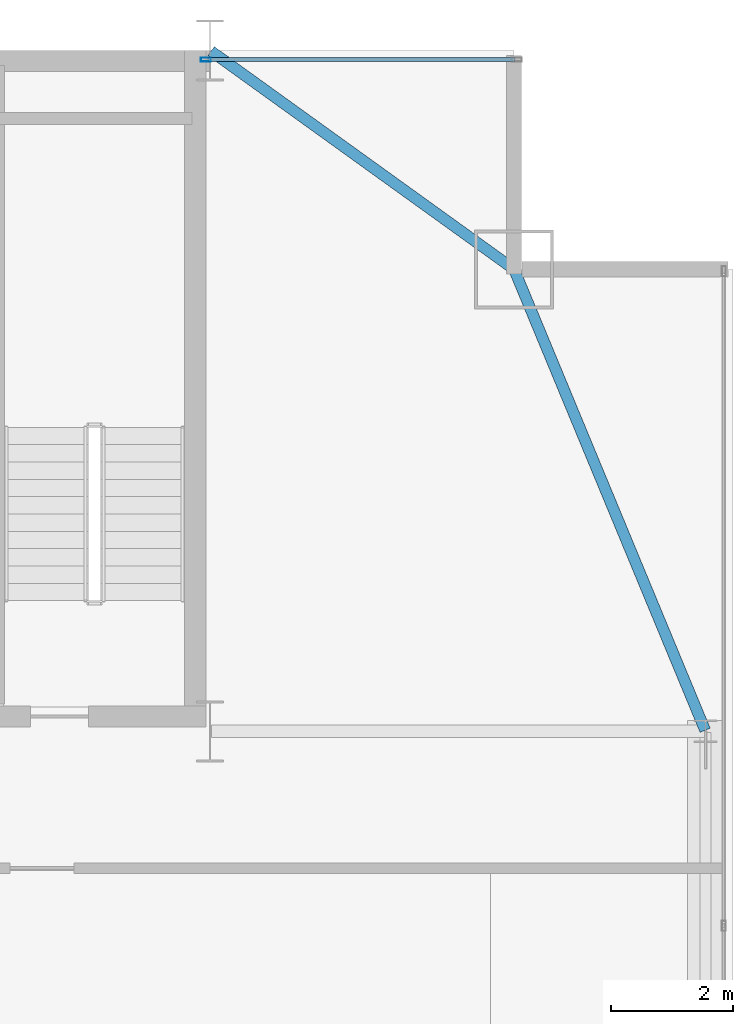
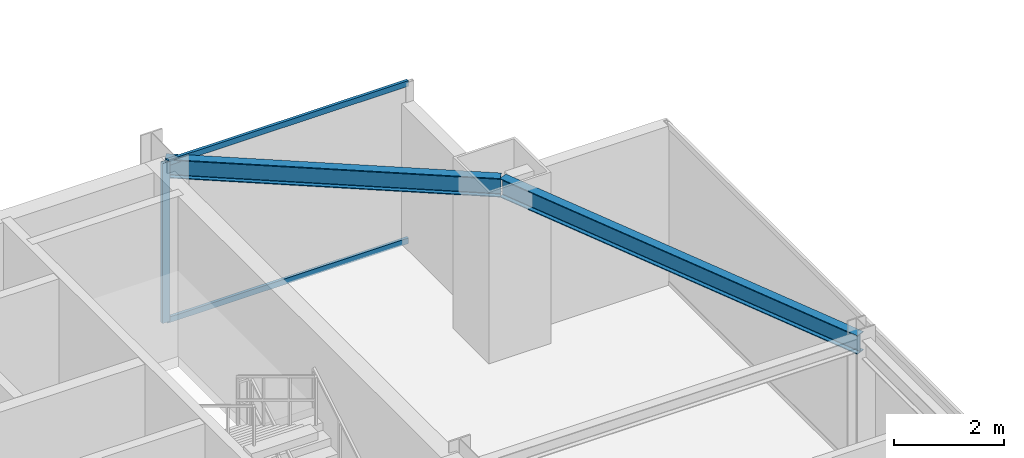
# One storey, part 24 of 34: 3 members, 2 beams, 1 element without a shape of its own.
"""IFC4 building model written with IfcOpenShell, lengths in metres."""

from ifc_helpers import new_model, si_unit, direction, frame, origin, origin_2d, place, context, subcontext, project, spatial, hollow_rectangle, i_section, extrude, source, transform, mapped, material, layer, layer_set, material_profile, profile_set, type_object, type_shapes, element, aggregate, save


model = new_model("IFC4")

# Units and contexts
model_context = context("Model", 3, precision=1e-05, world=origin(), true_north=direction((0.0, 1.0)))
body_context = subcontext(model_context, "Body", "Model", "MODEL_VIEW")
ifc_project = project(units=[si_unit("LENGTHUNIT", "METRE"), si_unit("AREAUNIT", "SQUARE_METRE"), si_unit("VOLUMEUNIT", "CUBIC_METRE"), si_unit("PLANEANGLEUNIT", "RADIAN"), si_unit("MASSUNIT", "GRAM", prefix="KILO")], contexts=[model_context])

# Site, building, storey
site_placement = place(None, origin())
site = spatial("IfcSite", under=ifc_project, at=site_placement, CompositionType="ELEMENT")
building_placement = place(site_placement, origin())
building = spatial("IfcBuilding", under=site, at=building_placement, Name="Varnel Quay Broadcast Tower", CompositionType="ELEMENT")
storey_placement = place(building_placement, frame((0.0, 0.0, 161.0)))
storey = spatial("IfcBuildingStorey", under=building, at=storey_placement, Name="L39", CompositionType="ELEMENT", Elevation=161.0)

# Beams
ifc_material_1 = material(Name="Structural Steel CSA G40.21 350W", Category="steel")
ifc_material_profile_1 = material_profile(ifc_material_1, i_section(OverallWidth=0.180908203125, OverallDepth=0.4169921875, WebThickness=0.010986328125, FlangeThickness=0.018310546875, FilletRadius=0.011962890625, at=origin_2d()), Name="W410X85")
ifc_profile_set_1 = profile_set([ifc_material_profile_1], Name="Structural Steel CSA G40.21 350W")
beam_type = type_object("IfcBeamType", Name="Beam_W410X85", PredefinedType="SPANDREL", material=ifc_profile_set_1)
shared_shape_1 = source(origin(), body_context, "Body", "SweptSolid", [
    extrude(i_section(OverallWidth=0.180908203125, OverallDepth=0.4169921875, WebThickness=0.010986328125, FlangeThickness=0.018310546875, FilletRadius=0.011962890625, at=origin_2d()), origin(), (0.0, 0.0, 1.0), 8.186767578125),
])
beam_1_placement = place(storey_placement, frame((60.542236328125, 35.618408203125, 3.341552734375), z_axis=(-0.382874132092, 0.923800519038, 0.0), x_axis=(-0.923800519038, -0.382874132092, 0.0)))
element("IfcBeam", 1, at=beam_1_placement, inside=storey, type_object=beam_type, Name="L39 East Spandrel TC-E3-MC-NE", PredefinedType="SPANDREL", context=body_context, shape_type="MappedRepresentation", body=[
    mapped(shared_shape_1, transform((0.0, 0.0, 0.0), x_axis=(1.0, 0.0, 0.0), y_axis=(0.0, 1.0, 0.0), z_axis=(0.0, 0.0, 1.0), scale=1.0)),
])
shared_shape_2 = source(origin(), body_context, "Body", "SweptSolid", [
    extrude(i_section(OverallWidth=0.180908203125, OverallDepth=0.4169921875, WebThickness=0.010986328125, FlangeThickness=0.018310546875, FilletRadius=0.011962890625, at=origin_2d()), origin(), (0.0, 0.0, 1.0), 6.12109375),
])
type_shapes(beam_type, [shared_shape_1, shared_shape_2])
beam_2_placement = place(storey_placement, frame((52.416259765625, 46.788330078125, 3.341552734375), z_axis=(0.811531315425, -0.584308928637, 0.0), x_axis=(0.584308928637, 0.811531315425, 0.0)))
element("IfcBeam", 2, at=beam_2_placement, inside=storey, type_object=beam_type, Name="L39 NE Tie Spandrel", PredefinedType="SPANDREL", context=body_context, shape_type="MappedRepresentation", body=[
    mapped(shared_shape_2, transform((0.0, 0.0, 0.0), x_axis=(1.0, 0.0, 0.0), y_axis=(0.0, 1.0, 0.0), z_axis=(0.0, 0.0, 1.0), scale=1.0)),
])

# Curtain wall, members
ifc_material_2 = material(Name="Anodised Bronze Aluminium 6063-T6", Category="aluminium")
ifc_layer = layer(ifc_material_2, 0.18994140625, Name="Anodised Bronze Aluminium 6063-T6")
ifc_layer_set = layer_set([ifc_layer], Name="Anodised Bronze Aluminium 6063-T6")
curtain_wall_type = type_object("IfcCurtainWallType", Name="CW_UpperTower", PredefinedType="NOTDEFINED", material=ifc_layer_set)
curtain_wall_placement = place(storey_placement, origin())
curtain_wall = element("IfcCurtainWall", 3, at=curtain_wall_placement, inside=storey, type_object=curtain_wall_type, Name="L39 NE Wing Curtain Wall", PredefinedType="NOTDEFINED")
ifc_material_profile_2 = material_profile(ifc_material_2, hollow_rectangle(XDim=0.06494140625, YDim=0.1650390625, WallThickness=0.00341796875, at=origin_2d()), Name="ALU65X165X3.5")
ifc_profile_set_2 = profile_set([ifc_material_profile_2], Name="Anodised Bronze Aluminium 6063-T6")
member_type_1 = type_object("IfcMemberType", Name="Mull_CWS-03", PredefinedType="MULLION", material=ifc_profile_set_2)
shared_shape_3 = source(origin(), body_context, "Body", "SweptSolid", [
    extrude(hollow_rectangle(XDim=0.06494140625, YDim=0.1650390625, WallThickness=0.00341796875, at=origin_2d()), origin(), (0.0, 0.0, 1.0), 3.550048828125),
])
type_shapes(member_type_1, [shared_shape_3])
member_1_placement = place(storey_placement, frame((52.33251953125, 46.64990234375, 0.0), z_axis=(0.0, 0.0, 1.0), x_axis=(0.0, 1.0, 0.0)))
member_1 = element("IfcMember", 4, at=member_1_placement, type_object=member_type_1, Name="CWS-03 mullion 1", PredefinedType="MULLION", context=body_context, shape_type="MappedRepresentation", body=[
    mapped(shared_shape_3, transform((0.0, 0.0, 0.0), x_axis=(1.0, 0.0, 0.0), y_axis=(0.0, 1.0, 0.0), z_axis=(0.0, 0.0, 1.0), scale=1.0)),
])
ifc_material_profile_3 = material_profile(ifc_material_2, hollow_rectangle(XDim=0.06005859375, YDim=0.125, WallThickness=0.0029296875, at=origin_2d()), Name="ALU60X125X3")
ifc_profile_set_3 = profile_set([ifc_material_profile_3], Name="Anodised Bronze Aluminium 6063-T6")
member_type_2 = type_object("IfcMemberType", Name="Tran_CWS-03", PredefinedType="USERDEFINED", material=ifc_profile_set_3)
shared_shape_4 = source(origin(), body_context, "Body", "SweptSolid", [
    extrude(hollow_rectangle(XDim=0.06005859375, YDim=0.125, WallThickness=0.0029296875, at=origin_2d()), origin(), (0.0, 0.0, 1.0), 5.050048828125),
])
type_shapes(member_type_2, [shared_shape_4])
member_2_placement = place(storey_placement, frame((52.364990234375, 46.64990234375, 0.030029296875), z_axis=(1.0, 0.0, 0.0), x_axis=(0.0, 1.0, 0.0)))
member_2 = element("IfcMember", 5, at=member_2_placement, type_object=member_type_2, Name="CWS-03 transom 1.1", ObjectType="TRANSOM", PredefinedType="USERDEFINED", context=body_context, shape_type="MappedRepresentation", body=[
    mapped(shared_shape_4, transform((0.0, 0.0, 0.0), x_axis=(1.0, 0.0, 0.0), y_axis=(0.0, 1.0, 0.0), z_axis=(0.0, 0.0, 1.0), scale=1.0)),
])
member_3_placement = place(storey_placement, frame((52.364990234375, 46.64990234375, 3.52001953125), z_axis=(1.0, 0.0, 0.0), x_axis=(0.0, 1.0, 0.0)))
member_3 = element("IfcMember", 6, at=member_3_placement, type_object=member_type_2, Name="CWS-03 transom 1.2", ObjectType="TRANSOM", PredefinedType="USERDEFINED", context=body_context, shape_type="MappedRepresentation", body=[
    mapped(shared_shape_4, transform((0.0, 0.0, 0.0), x_axis=(1.0, 0.0, 0.0), y_axis=(0.0, 1.0, 0.0), z_axis=(0.0, 0.0, 1.0), scale=1.0)),
])
aggregate(curtain_wall, [member_1, member_2, member_3])

save(model, "model.ifc")
